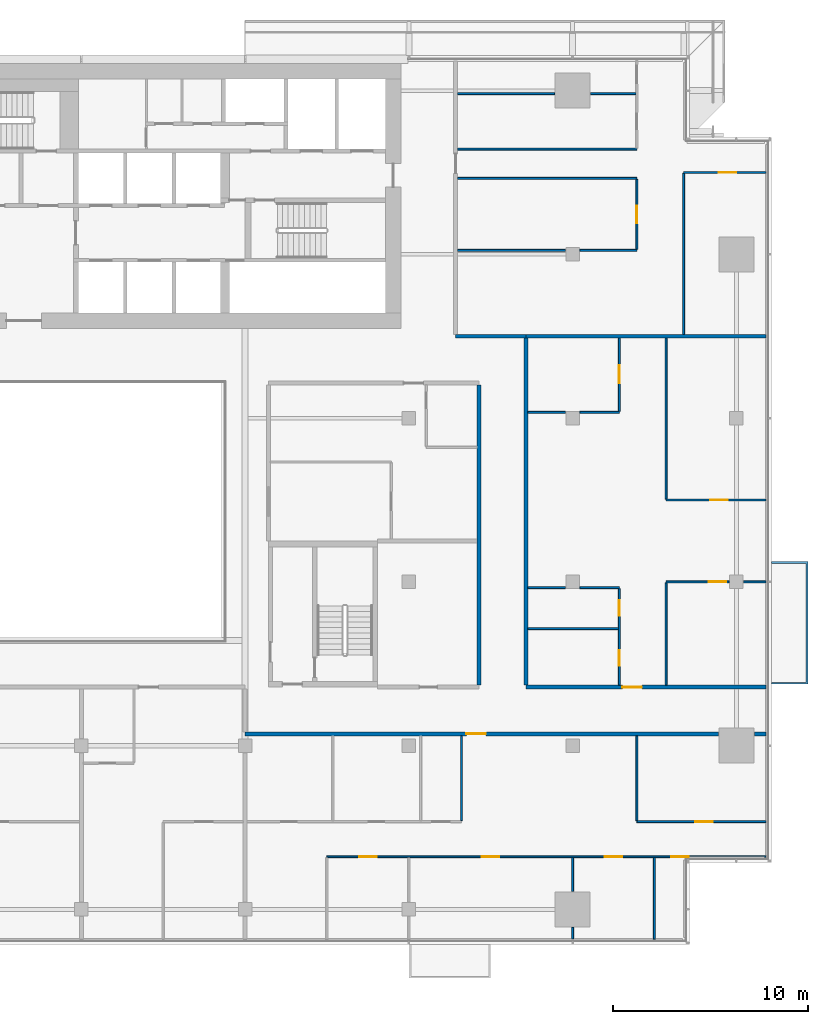
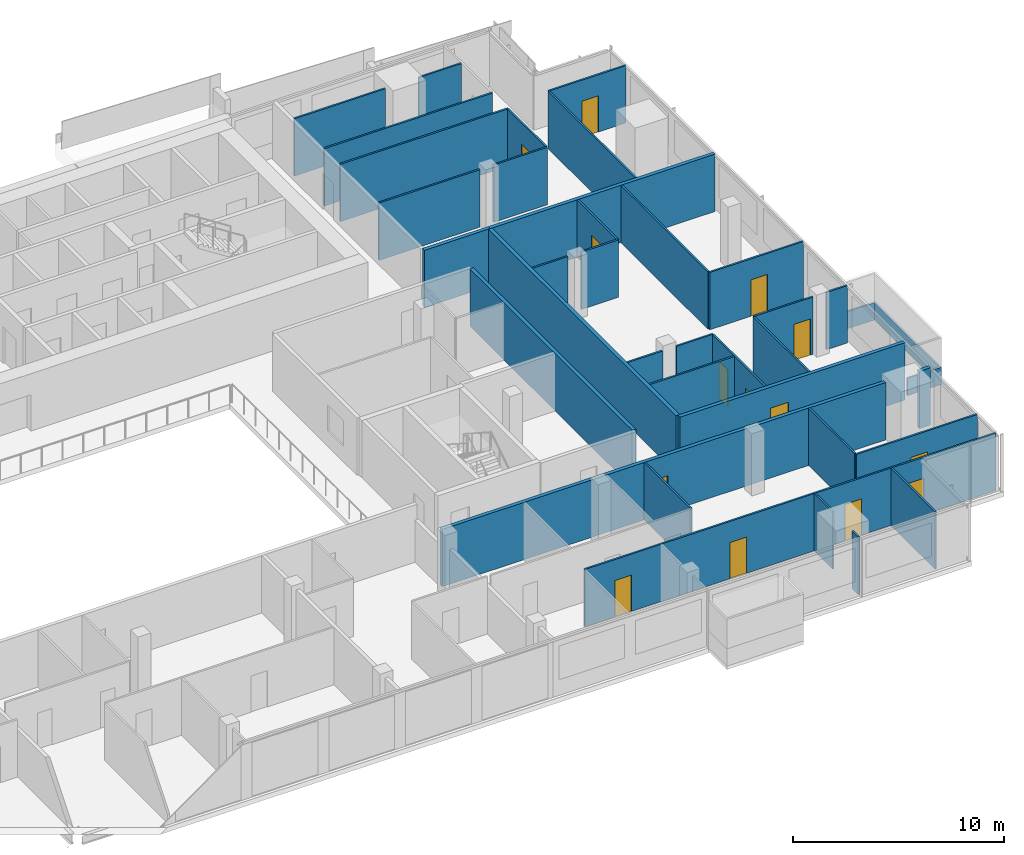
# One storey, part 23 of 30: 36 walls, 14 doors, 14 openings.
"""IFC4 building model written with IfcOpenShell, lengths in metres."""

from ifc_helpers import new_model, si_unit, direction, frame, frame_2d, origin, place, context, subcontext, project, spatial, polyline, rectangle, outline, extrude, material, layer, layer_set, type_object, element, fill, save


model = new_model("IFC4")

# Units and contexts
model_context = context("Model", 3, precision=1e-05, world=origin(), true_north=direction((0.0, 1.0)))
body_context = subcontext(model_context, "Body", "Model", "MODEL_VIEW")
ifc_project = project(units=[si_unit("LENGTHUNIT", "METRE"), si_unit("AREAUNIT", "SQUARE_METRE"), si_unit("VOLUMEUNIT", "CUBIC_METRE"), si_unit("PLANEANGLEUNIT", "RADIAN"), si_unit("MASSUNIT", "GRAM", prefix="KILO")], contexts=[model_context])

# Site, building, storey
site_placement = place(None, origin())
site = spatial("IfcSite", under=ifc_project, at=site_placement, CompositionType="ELEMENT")
building_placement = place(site_placement, origin())
building = spatial("IfcBuilding", under=site, at=building_placement, Name="Saffron Gate Tower", CompositionType="ELEMENT")
storey_placement = place(building_placement, frame((0.0, 0.0, 169.050048828125)))
storey = spatial("IfcBuildingStorey", under=building, at=storey_placement, Name="L41", CompositionType="ELEMENT", Elevation=169.050048828125)

# Wall, openings, doors
ifc_material_1 = material(Name="Plasterboard on steel studs", Category="steel")
ifc_layer_1 = layer(ifc_material_1, 0.10009765625)
ifc_layer_set_1 = layer_set([ifc_layer_1], Name="PW1 Partition 100")
wall_type_1 = type_object("IfcWallType", Name="PW1 Partition 100", PredefinedType="PARTITIONING", material=ifc_layer_set_1)
wall_1_placement = place(storey_placement, frame((126.919921875, 34.5, 0.0), z_axis=(0.0, 0.0, 1.0), x_axis=(-1.0, 0.0, 0.0)))
wall_1 = element("IfcWall", 1, at=wall_1_placement, inside=storey, type_object=wall_type_1, Name="Partition C3-1", PredefinedType="PARTITIONING", context=body_context, shape_type="SweptSolid", body=[
    extrude(rectangle(XDim=22.52001953125, YDim=0.10009765625, at=frame_2d((11.260009765625, 0.0))), origin(), (0.0, 0.0, 1.0), 3.320068359375),
])
opening_1_placement = place(wall_1_placement, frame((3.96630859375, 0.0, 0.0)))
opening_1 = element("IfcOpeningElement", 2, at=opening_1_placement, cuts=wall_1, Name="Opening C3-23", PredefinedType="OPENING", context=body_context, shape_type="SweptSolid", body=[
    extrude(rectangle(XDim=0.89990234375, YDim=2.10009765625, at=frame_2d((0.449951171875, 1.050048828125))), frame((0.0, 0.06005859375, 0.0), z_axis=(0.0, -1.0, 0.0), x_axis=(1.0, 0.0, 0.0)), (0.0, 0.0, 1.0), 0.1201171875),
])
opening_2_placement = place(wall_1_placement, frame((7.3701171875, 0.0, 0.0)))
opening_2 = element("IfcOpeningElement", 3, at=opening_2_placement, cuts=wall_1, Name="Opening C3-22", PredefinedType="OPENING", context=body_context, shape_type="SweptSolid", body=[
    extrude(rectangle(XDim=0.89990234375, YDim=2.10009765625, at=frame_2d((0.449951171875, 1.050048828125))), frame((0.0, 0.06005859375, 0.0), z_axis=(0.0, -1.0, 0.0), x_axis=(1.0, 0.0, 0.0)), (0.0, 0.0, 1.0), 0.1201171875),
])
opening_3_placement = place(wall_1_placement, frame((13.669921875, 0.0, 0.0)))
opening_3 = element("IfcOpeningElement", 4, at=opening_3_placement, cuts=wall_1, Name="Opening C3-21", PredefinedType="OPENING", context=body_context, shape_type="SweptSolid", body=[
    extrude(rectangle(XDim=0.89990234375, YDim=2.10009765625, at=frame_2d((0.449951171875, 1.050048828125))), frame((0.0, 0.06005859375, 0.0), z_axis=(0.0, -1.0, 0.0), x_axis=(1.0, 0.0, 0.0)), (0.0, 0.0, 1.0), 0.1201171875),
])
opening_4_placement = place(wall_1_placement, frame((19.969970703125, 0.0, 0.0)))
opening_4 = element("IfcOpeningElement", 5, at=opening_4_placement, cuts=wall_1, Name="Opening C3-20", PredefinedType="OPENING", context=body_context, shape_type="SweptSolid", body=[
    extrude(rectangle(XDim=0.89990234375, YDim=2.10009765625, at=frame_2d((0.449951171875, 1.050048828125))), frame((0.0, 0.06005859375, 0.0), z_axis=(0.0, -1.0, 0.0), x_axis=(1.0, 0.0, 0.0)), (0.0, 0.0, 1.0), 0.1201171875),
])
ifc_material_2 = material(Name="Timber door set", Category="wood")
door_type_1 = type_object("IfcDoorType", Name="RD1 Room door 900x2100", OperationType="NOTDEFINED", PredefinedType="DOOR", material=ifc_material_2)
door_1_placement = place(opening_1_placement, origin())
door_1 = element("IfcDoor", 6, at=door_1_placement, inside=storey, type_object=door_type_1, Name="Door C3-23", OperationType="SINGLE_SWING_RIGHT", OverallHeight=2.10009765625, OverallWidth=0.89990234375, PredefinedType="DOOR", context=body_context, shape_type="SweptSolid", body=[
    extrude(rectangle(XDim=0.89990234375, YDim=2.10009765625, at=frame_2d((0.449951171875, 1.050048828125))), frame((0.0, 0.02490234375, 0.0), z_axis=(0.0, -1.0, 0.0), x_axis=(1.0, 0.0, 0.0)), (0.0, 0.0, 1.0), 0.050048828125),
])
fill(opening_1, door_1)
door_2_placement = place(opening_2_placement, origin())
door_2 = element("IfcDoor", 7, at=door_2_placement, inside=storey, type_object=door_type_1, Name="Door C3-22", OperationType="SINGLE_SWING_RIGHT", OverallHeight=2.10009765625, OverallWidth=0.89990234375, PredefinedType="DOOR", context=body_context, shape_type="SweptSolid", body=[
    extrude(rectangle(XDim=0.89990234375, YDim=2.10009765625, at=frame_2d((0.449951171875, 1.050048828125))), frame((0.0, 0.02490234375, 0.0), z_axis=(0.0, -1.0, 0.0), x_axis=(1.0, 0.0, 0.0)), (0.0, 0.0, 1.0), 0.050048828125),
])
fill(opening_2, door_2)
door_3_placement = place(opening_3_placement, origin())
door_3 = element("IfcDoor", 8, at=door_3_placement, inside=storey, type_object=door_type_1, Name="Door C3-21", OperationType="SINGLE_SWING_RIGHT", OverallHeight=2.10009765625, OverallWidth=0.89990234375, PredefinedType="DOOR", context=body_context, shape_type="SweptSolid", body=[
    extrude(rectangle(XDim=0.89990234375, YDim=2.10009765625, at=frame_2d((0.449951171875, 1.050048828125))), frame((0.0, 0.02490234375, 0.0), z_axis=(0.0, -1.0, 0.0), x_axis=(1.0, 0.0, 0.0)), (0.0, 0.0, 1.0), 0.050048828125),
])
fill(opening_3, door_3)
door_4_placement = place(opening_4_placement, origin())
door_4 = element("IfcDoor", 9, at=door_4_placement, inside=storey, type_object=door_type_1, Name="Door C3-20", OperationType="SINGLE_SWING_RIGHT", OverallHeight=2.10009765625, OverallWidth=0.89990234375, PredefinedType="DOOR", context=body_context, shape_type="SweptSolid", body=[
    extrude(rectangle(XDim=0.89990234375, YDim=2.10009765625, at=frame_2d((0.449951171875, 1.050048828125))), frame((0.0, 0.02490234375, 0.0), z_axis=(0.0, -1.0, 0.0), x_axis=(1.0, 0.0, 0.0)), (0.0, 0.0, 1.0), 0.050048828125),
])
fill(opening_4, door_4)

# Wall, opening, door
wall_2_placement = place(storey_placement, frame((120.300048828125, 36.300048828125, 0.0), z_axis=(0.0, 0.0, 1.0), x_axis=(1.0, 0.0, 0.0)))
wall_2 = element("IfcWall", 10, at=wall_2_placement, inside=storey, type_object=wall_type_1, Name="Partition C3-4", PredefinedType="PARTITIONING", context=body_context, shape_type="SweptSolid", body=[
    extrude(rectangle(XDim=6.619873046875, YDim=0.10009765625, at=frame_2d((3.31005859375, 0.0))), origin(), (0.0, 0.0, 1.0), 3.320068359375),
])
opening_5_placement = place(wall_2_placement, frame((3.0, 0.0, 0.0)))
opening_5 = element("IfcOpeningElement", 11, at=opening_5_placement, cuts=wall_2, Name="Opening C3-24", PredefinedType="OPENING", context=body_context, shape_type="SweptSolid", body=[
    extrude(rectangle(XDim=0.89990234375, YDim=2.10009765625, at=frame_2d((0.449951171875, 1.050048828125))), frame((0.0, 0.06005859375, 0.0), z_axis=(0.0, -1.0, 0.0), x_axis=(1.0, 0.0, 0.0)), (0.0, 0.0, 1.0), 0.1201171875),
])
door_5_placement = place(opening_5_placement, origin())
door_5 = element("IfcDoor", 12, at=door_5_placement, inside=storey, type_object=door_type_1, Name="Door C3-24", OperationType="SINGLE_SWING_RIGHT", OverallHeight=2.10009765625, OverallWidth=0.89990234375, PredefinedType="DOOR", context=body_context, shape_type="SweptSolid", body=[
    extrude(rectangle(XDim=0.89990234375, YDim=2.10009765625, at=frame_2d((0.449951171875, 1.050048828125))), frame((0.0, 0.02490234375, 0.0), z_axis=(0.0, -1.0, 0.0), x_axis=(1.0, 0.0, 0.0)), (0.0, 0.0, 1.0), 0.050048828125),
])
fill(opening_5, door_5)

# Walls
wall_3_placement = place(storey_placement, frame((114.699951171875, 46.199951171875, 0.0), z_axis=(0.0, 0.0, 1.0), x_axis=(1.0, 0.0, 0.0)))
element("IfcWall", 13, at=wall_3_placement, inside=storey, type_object=wall_type_1, Name="Partition C3-18", PredefinedType="PARTITIONING", context=body_context, shape_type="SweptSolid", body=[
    extrude(rectangle(XDim=4.650146484375, YDim=0.10009765625, at=frame_2d((2.3251953125, 0.0))), origin(), (0.0, 0.0, 1.0), 3.320068359375),
])
wall_4_placement = place(storey_placement, frame((114.699951171875, 48.300048828125, 0.0), z_axis=(0.0, 0.0, 1.0), x_axis=(1.0, 0.0, 0.0)))
element("IfcWall", 14, at=wall_4_placement, inside=storey, type_object=wall_type_1, Name="Partition C3-19", PredefinedType="PARTITIONING", context=body_context, shape_type="SweptSolid", body=[
    extrude(rectangle(XDim=1.929931640625, YDim=0.10009765625, at=frame_2d((0.96484375, 0.0))), origin(), (0.0, 0.0, 1.0), 3.320068359375),
])
wall_5_placement = place(storey_placement, frame((117.3701171875, 48.300048828125, 0.0), z_axis=(0.0, 0.0, 1.0), x_axis=(1.0, 0.0, 0.0)))
element("IfcWall", 15, at=wall_5_placement, inside=storey, type_object=wall_type_1, Name="Partition C3-20", PredefinedType="PARTITIONING", context=body_context, shape_type="SweptSolid", body=[
    extrude(rectangle(XDim=2.02978515625, YDim=0.10009765625, at=frame_2d((1.014892578125, 0.0))), origin(), (0.0, 0.0, 1.0), 3.320068359375),
])

# Wall, opening, door
wall_6_placement = place(storey_placement, frame((125.030029296875, 48.60009765625, 0.0), z_axis=(0.0, 0.0, 1.0), x_axis=(-1.0, 0.0, 0.0)))
wall_6 = element("IfcWall", 16, at=wall_6_placement, inside=storey, type_object=wall_type_1, Name="Partition C3-23", PredefinedType="PARTITIONING", context=body_context, shape_type="SweptSolid", body=[
    extrude(rectangle(XDim=3.22998046875, YDim=0.10009765625, at=frame_2d((1.614990234375, 0.0))), origin(), (0.0, 0.0, 1.0), 3.320068359375),
])
opening_6_placement = place(wall_6_placement, frame((0.14990234375, 0.0, 0.0)))
opening_6 = element("IfcOpeningElement", 17, at=opening_6_placement, cuts=wall_6, Name="Opening C3-32", PredefinedType="OPENING", context=body_context, shape_type="SweptSolid", body=[
    extrude(rectangle(XDim=0.89990234375, YDim=2.10009765625, at=frame_2d((0.449951171875, 1.050048828125))), frame((0.0, 0.06005859375, 0.0), z_axis=(0.0, -1.0, 0.0), x_axis=(1.0, 0.0, 0.0)), (0.0, 0.0, 1.0), 0.1201171875),
])
door_6_placement = place(opening_6_placement, origin())
door_6 = element("IfcDoor", 18, at=door_6_placement, inside=storey, type_object=door_type_1, Name="Door C3-32", OperationType="SINGLE_SWING_LEFT", OverallHeight=2.10009765625, OverallWidth=0.89990234375, PredefinedType="DOOR", context=body_context, shape_type="SweptSolid", body=[
    extrude(rectangle(XDim=0.89990234375, YDim=2.10009765625, at=frame_2d((0.449951171875, 1.050048828125))), frame((0.0, 0.02490234375, 0.0), z_axis=(0.0, -1.0, 0.0), x_axis=(1.0, 0.0, 0.0)), (0.0, 0.0, 1.0), 0.050048828125),
])
fill(opening_6, door_6)

# Wall
wall_7_placement = place(storey_placement, frame((125.77001953125, 48.60009765625, 0.0), z_axis=(0.0, 0.0, 1.0), x_axis=(1.0, 0.0, 0.0)))
element("IfcWall", 19, at=wall_7_placement, inside=storey, type_object=wall_type_1, Name="Partition C3-24", PredefinedType="PARTITIONING", context=body_context, shape_type="SweptSolid", body=[
    extrude(rectangle(XDim=1.14990234375, YDim=0.10009765625, at=frame_2d((0.574951171875, 0.0))), origin(), (0.0, 0.0, 1.0), 3.320068359375),
])

# Wall, opening, door
wall_8_placement = place(storey_placement, frame((121.800048828125, 52.800048828125, 0.0), z_axis=(0.0, 0.0, 1.0), x_axis=(1.0, 0.0, 0.0)))
wall_8 = element("IfcWall", 20, at=wall_8_placement, inside=storey, type_object=wall_type_1, Name="Partition C3-29", PredefinedType="PARTITIONING", context=body_context, shape_type="SweptSolid", body=[
    extrude(rectangle(XDim=5.119873046875, YDim=0.10009765625, at=frame_2d((2.56005859375, 0.0))), origin(), (0.0, 0.0, 1.0), 3.320068359375),
])
opening_7_placement = place(wall_8_placement, frame((2.25, 0.0, 0.0)))
opening_7 = element("IfcOpeningElement", 21, at=opening_7_placement, cuts=wall_8, Name="Opening C3-33", PredefinedType="OPENING", context=body_context, shape_type="SweptSolid", body=[
    extrude(rectangle(XDim=0.89990234375, YDim=2.10009765625, at=frame_2d((0.449951171875, 1.050048828125))), frame((0.0, 0.06005859375, 0.0), z_axis=(0.0, -1.0, 0.0), x_axis=(1.0, 0.0, 0.0)), (0.0, 0.0, 1.0), 0.1201171875),
])
door_7_placement = place(opening_7_placement, origin())
door_7 = element("IfcDoor", 22, at=door_7_placement, inside=storey, type_object=door_type_1, Name="Door C3-33", OperationType="SINGLE_SWING_RIGHT", OverallHeight=2.10009765625, OverallWidth=0.89990234375, PredefinedType="DOOR", context=body_context, shape_type="SweptSolid", body=[
    extrude(rectangle(XDim=0.89990234375, YDim=2.10009765625, at=frame_2d((0.449951171875, 1.050048828125))), frame((0.0, 0.02490234375, 0.0), z_axis=(0.0, -1.0, 0.0), x_axis=(1.0, 0.0, 0.0)), (0.0, 0.0, 1.0), 0.050048828125),
])
fill(opening_7, door_7)

# Walls
wall_9_placement = place(storey_placement, frame((114.699951171875, 57.300048828125, 0.0), z_axis=(0.0, 0.0, 1.0), x_axis=(1.0, 0.0, 0.0)))
element("IfcWall", 23, at=wall_9_placement, inside=storey, type_object=wall_type_1, Name="Partition C3-36", PredefinedType="PARTITIONING", context=body_context, shape_type="SweptSolid", body=[
    extrude(rectangle(XDim=1.929931640625, YDim=0.10009765625, at=frame_2d((0.96484375, 0.0))), origin(), (0.0, 0.0, 1.0), 3.320068359375),
])
wall_10_placement = place(storey_placement, frame((117.3701171875, 57.300048828125, 0.0), z_axis=(0.0, 0.0, 1.0), x_axis=(1.0, 0.0, 0.0)))
element("IfcWall", 24, at=wall_10_placement, inside=storey, type_object=wall_type_1, Name="Partition C3-37", PredefinedType="PARTITIONING", context=body_context, shape_type="SweptSolid", body=[
    extrude(rectangle(XDim=2.02978515625, YDim=0.10009765625, at=frame_2d((1.014892578125, 0.0))), origin(), (0.0, 0.0, 1.0), 3.320068359375),
])
wall_11_placement = place(storey_placement, frame((111.10009765625, 65.608642578125, 0.0), z_axis=(0.0, 0.0, 1.0), x_axis=(1.0, 0.0, 0.0)))
element("IfcWall", 25, at=wall_11_placement, inside=storey, type_object=wall_type_1, Name="Partition C3-46", PredefinedType="PARTITIONING", context=body_context, shape_type="SweptSolid", body=[
    extrude(rectangle(XDim=5.52978515625, YDim=0.10009765625, at=frame_2d((2.764892578125, 0.0))), origin(), (0.0, 0.0, 1.0), 3.320068359375),
])
wall_12_placement = place(storey_placement, frame((117.3701171875, 65.608642578125, 0.0), z_axis=(0.0, 0.0, 1.0), x_axis=(1.0, 0.0, 0.0)))
element("IfcWall", 26, at=wall_12_placement, inside=storey, type_object=wall_type_1, Name="Partition C3-47", PredefinedType="PARTITIONING", context=body_context, shape_type="SweptSolid", body=[
    extrude(rectangle(XDim=2.929931640625, YDim=0.10009765625, at=frame_2d((1.46484375, 0.0))), origin(), (0.0, 0.0, 1.0), 3.320068359375),
])
wall_13_placement = place(storey_placement, frame((111.10009765625, 69.300048828125, 0.0), z_axis=(0.0, 0.0, 1.0), x_axis=(1.0, 0.0, 0.0)))
element("IfcWall", 27, at=wall_13_placement, inside=storey, type_object=wall_type_1, Name="Partition C3-50", PredefinedType="PARTITIONING", context=body_context, shape_type="SweptSolid", body=[
    extrude(rectangle(XDim=9.199951171875, YDim=0.10009765625, at=frame_2d((4.60009765625, 0.0))), origin(), (0.0, 0.0, 1.0), 3.320068359375),
])

# Wall, opening, door
wall_14_placement = place(storey_placement, frame((126.919921875, 69.60009765625, 0.0), z_axis=(0.0, 0.0, 1.0), x_axis=(-1.0, 0.0, 0.0)))
wall_14 = element("IfcWall", 28, at=wall_14_placement, inside=storey, type_object=wall_type_1, Name="Partition C3-52", PredefinedType="PARTITIONING", context=body_context, shape_type="SweptSolid", body=[
    extrude(rectangle(XDim=4.219970703125, YDim=0.10009765625, at=frame_2d((2.10986328125, 0.0))), origin(), (0.0, 0.0, 1.0), 3.320068359375),
])
opening_8_placement = place(wall_14_placement, frame((1.52001953125, 0.0, 0.0)))
opening_8 = element("IfcOpeningElement", 29, at=opening_8_placement, cuts=wall_14, Name="Opening C3-35", PredefinedType="OPENING", context=body_context, shape_type="SweptSolid", body=[
    extrude(rectangle(XDim=0.89990234375, YDim=2.10009765625, at=frame_2d((0.449951171875, 1.050048828125))), frame((0.0, 0.06005859375, 0.0), z_axis=(0.0, -1.0, 0.0), x_axis=(1.0, 0.0, 0.0)), (0.0, 0.0, 1.0), 0.1201171875),
])
door_8_placement = place(opening_8_placement, origin())
door_8 = element("IfcDoor", 30, at=door_8_placement, inside=storey, type_object=door_type_1, Name="Door C3-35", OperationType="SINGLE_SWING_LEFT", OverallHeight=2.10009765625, OverallWidth=0.89990234375, PredefinedType="DOOR", context=body_context, shape_type="SweptSolid", body=[
    extrude(rectangle(XDim=0.89990234375, YDim=2.10009765625, at=frame_2d((0.449951171875, 1.050048828125))), frame((0.0, 0.02490234375, 0.0), z_axis=(0.0, -1.0, 0.0), x_axis=(1.0, 0.0, 0.0)), (0.0, 0.0, 1.0), 0.050048828125),
])
fill(opening_8, door_8)

# Walls
wall_15_placement = place(storey_placement, frame((111.10009765625, 70.800048828125, 0.0), z_axis=(0.0, 0.0, 1.0), x_axis=(1.0, 0.0, 0.0)))
element("IfcWall", 31, at=wall_15_placement, inside=storey, type_object=wall_type_1, Name="Partition C3-53", PredefinedType="PARTITIONING", context=body_context, shape_type="SweptSolid", body=[
    extrude(rectangle(XDim=9.199951171875, YDim=0.10009765625, at=frame_2d((4.60009765625, 0.0))), origin(), (0.0, 0.0, 1.0), 3.320068359375),
])
wall_16_placement = place(storey_placement, frame((111.10009765625, 73.6494140625, 0.0), z_axis=(0.0, 0.0, 1.0), x_axis=(1.0, 0.0, 0.0)))
element("IfcWall", 32, at=wall_16_placement, inside=storey, type_object=wall_type_1, Name="Partition C3-55", PredefinedType="PARTITIONING", context=body_context, shape_type="SweptSolid", body=[
    extrude(rectangle(XDim=4.97998046875, YDim=0.10009765625, at=frame_2d((2.489990234375, 0.0))), origin(), (0.0, 0.0, 1.0), 3.320068359375),
])
wall_17_placement = place(storey_placement, frame((117.919921875, 73.6494140625, 0.0), z_axis=(0.0, 0.0, 1.0), x_axis=(1.0, 0.0, 0.0)))
element("IfcWall", 33, at=wall_17_placement, inside=storey, type_object=wall_type_1, Name="Partition C3-56", PredefinedType="PARTITIONING", context=body_context, shape_type="SweptSolid", body=[
    extrude(rectangle(XDim=2.330078125, YDim=0.10009765625, at=frame_2d((1.1650390625, 0.0))), origin(), (0.0, 0.0, 1.0), 3.320068359375),
])
wall_18_placement = place(storey_placement, frame((111.300048828125, 40.699951171875, 0.0), z_axis=(0.0, 0.0, 1.0), x_axis=(0.0, -1.0, 0.0)))
element("IfcWall", 34, at=wall_18_placement, inside=storey, type_object=wall_type_1, Name="Partition C3-105", PredefinedType="PARTITIONING", context=body_context, shape_type="SweptSolid", body=[
    extrude(rectangle(XDim=4.349853515625, YDim=0.10009765625, at=frame_2d((2.1748046875, 0.0))), origin(), (0.0, 0.0, 1.0), 3.320068359375),
])
wall_19_placement = place(storey_placement, frame((117.0, 30.8798828125, 0.0), z_axis=(0.0, 0.0, 1.0), x_axis=(0.0, -1.0, 0.0)))
element("IfcWall", 35, at=wall_19_placement, inside=storey, type_object=wall_type_1, Name="Partition C3-108", PredefinedType="PARTITIONING", context=body_context, shape_type="SweptSolid", body=[
    extrude(rectangle(XDim=0.599853515625, YDim=0.10009765625, at=frame_2d((0.2998046875, 0.0))), origin(), (0.0, 0.0, 1.0), 3.320068359375),
])
wall_20_placement = place(storey_placement, frame((117.0, 34.449951171875, 0.0), z_axis=(0.0, 0.0, 1.0), x_axis=(0.0, -1.0, 0.0)))
element("IfcWall", 36, at=wall_20_placement, inside=storey, type_object=wall_type_1, Name="Partition C3-109", PredefinedType="PARTITIONING", context=body_context, shape_type="SweptSolid", body=[
    extrude(rectangle(XDim=1.72998046875, YDim=0.10009765625, at=frame_2d((0.864990234375, 0.0))), origin(), (0.0, 0.0, 1.0), 3.320068359375),
])

# Wall, openings, doors
wall_21_placement = place(storey_placement, frame((119.39990234375, 43.300048828125, 0.0), z_axis=(0.0, 0.0, 1.0), x_axis=(0.0, 1.0, 0.0)))
wall_21 = element("IfcWall", 37, at=wall_21_placement, inside=storey, type_object=wall_type_1, Name="Partition C3-110", PredefinedType="PARTITIONING", context=body_context, shape_type="SweptSolid", body=[
    extrude(rectangle(XDim=4.949951171875, YDim=0.10009765625, at=frame_2d((2.47509765625, 0.0))), origin(), (0.0, 0.0, 1.0), 3.320068359375),
])
opening_9_placement = place(wall_21_placement, frame((1.0, 0.0, 0.0)))
opening_9 = element("IfcOpeningElement", 38, at=opening_9_placement, cuts=wall_21, Name="Opening C3-50", PredefinedType="OPENING", context=body_context, shape_type="SweptSolid", body=[
    extrude(rectangle(XDim=0.800048828125, YDim=2.10009765625, at=frame_2d((0.39990234375, 1.050048828125))), frame((0.0, 0.06005859375, 0.0), z_axis=(0.0, -1.0, 0.0), x_axis=(1.0, 0.0, 0.0)), (0.0, 0.0, 1.0), 0.1201171875),
])
opening_10_placement = place(wall_21_placement, frame((3.550048828125, 0.0, 0.0)))
opening_10 = element("IfcOpeningElement", 39, at=opening_10_placement, cuts=wall_21, Name="Opening C3-51", PredefinedType="OPENING", context=body_context, shape_type="SweptSolid", body=[
    extrude(rectangle(XDim=0.800048828125, YDim=2.10009765625, at=frame_2d((0.39990234375, 1.050048828125))), frame((0.0, 0.06005859375, 0.0), z_axis=(0.0, -1.0, 0.0), x_axis=(1.0, 0.0, 0.0)), (0.0, 0.0, 1.0), 0.1201171875),
])
door_type_2 = type_object("IfcDoorType", Name="RD2 Bathroom door 800x2100", OperationType="NOTDEFINED", PredefinedType="DOOR", material=ifc_material_2)
door_9_placement = place(opening_9_placement, origin())
door_9 = element("IfcDoor", 40, at=door_9_placement, inside=storey, type_object=door_type_2, Name="Door C3-50", OperationType="SINGLE_SWING_LEFT", OverallHeight=2.10009765625, OverallWidth=0.800048828125, PredefinedType="DOOR", context=body_context, shape_type="SweptSolid", body=[
    extrude(rectangle(XDim=0.800048828125, YDim=2.10009765625, at=frame_2d((0.39990234375, 1.050048828125))), frame((0.0, 0.02490234375, 0.0), z_axis=(0.0, -1.0, 0.0), x_axis=(1.0, 0.0, 0.0)), (0.0, 0.0, 1.0), 0.050048828125),
])
fill(opening_9, door_9)
door_10_placement = place(opening_10_placement, origin())
door_10 = element("IfcDoor", 41, at=door_10_placement, inside=storey, type_object=door_type_2, Name="Door C3-51", OperationType="SINGLE_SWING_RIGHT", OverallHeight=2.10009765625, OverallWidth=0.800048828125, PredefinedType="DOOR", context=body_context, shape_type="SweptSolid", body=[
    extrude(rectangle(XDim=0.800048828125, YDim=2.10009765625, at=frame_2d((0.39990234375, 1.050048828125))), frame((0.0, 0.02490234375, 0.0), z_axis=(0.0, -1.0, 0.0), x_axis=(1.0, 0.0, 0.0)), (0.0, 0.0, 1.0), 0.050048828125),
])
fill(opening_10, door_10)

# Wall, opening, door
wall_22_placement = place(storey_placement, frame((119.39990234375, 57.35009765625, 0.0), z_axis=(0.0, 0.0, 1.0), x_axis=(0.0, 1.0, 0.0)))
wall_22 = element("IfcWall", 42, at=wall_22_placement, inside=storey, type_object=wall_type_1, Name="Partition C3-111", PredefinedType="PARTITIONING", context=body_context, shape_type="SweptSolid", body=[
    extrude(rectangle(XDim=3.75, YDim=0.10009765625, at=frame_2d((1.875, 0.0))), origin(), (0.0, 0.0, 1.0), 3.320068359375),
])
opening_11_placement = place(wall_22_placement, frame((1.449951171875, 0.0, 0.0)))
opening_11 = element("IfcOpeningElement", 43, at=opening_11_placement, cuts=wall_22, Name="Opening C3-34", PredefinedType="OPENING", context=body_context, shape_type="SweptSolid", body=[
    extrude(rectangle(XDim=0.89990234375, YDim=2.10009765625, at=frame_2d((0.449951171875, 1.050048828125))), frame((0.0, 0.06005859375, 0.0), z_axis=(0.0, -1.0, 0.0), x_axis=(1.0, 0.0, 0.0)), (0.0, 0.0, 1.0), 0.1201171875),
])
door_11_placement = place(opening_11_placement, origin())
door_11 = element("IfcDoor", 44, at=door_11_placement, inside=storey, type_object=door_type_1, Name="Door C3-34", OperationType="SINGLE_SWING_RIGHT", OverallHeight=2.10009765625, OverallWidth=0.89990234375, PredefinedType="DOOR", context=body_context, shape_type="SweptSolid", body=[
    extrude(rectangle(XDim=0.89990234375, YDim=2.10009765625, at=frame_2d((0.449951171875, 1.050048828125))), frame((0.0, 0.02490234375, 0.0), z_axis=(0.0, -1.0, 0.0), x_axis=(1.0, 0.0, 0.0)), (0.0, 0.0, 1.0), 0.050048828125),
])
fill(opening_11, door_11)

# Wall
wall_23_placement = place(storey_placement, frame((120.300048828125, 40.699951171875, 0.0), z_axis=(0.0, 0.0, 1.0), x_axis=(0.0, -1.0, 0.0)))
element("IfcWall", 45, at=wall_23_placement, inside=storey, type_object=wall_type_1, Name="Partition C3-112", PredefinedType="PARTITIONING", context=body_context, shape_type="SweptSolid", body=[
    extrude(rectangle(XDim=4.349853515625, YDim=0.10009765625, at=frame_2d((2.1748046875, 0.0))), origin(), (0.0, 0.0, 1.0), 3.320068359375),
])

# Wall, opening, door
wall_24_placement = place(storey_placement, frame((120.300048828125, 65.65869140625, 0.0), z_axis=(0.0, 0.0, 1.0), x_axis=(0.0, 1.0, 0.0)))
wall_24 = element("IfcWall", 46, at=wall_24_placement, inside=storey, type_object=wall_type_1, Name="Partition C3-113", PredefinedType="PARTITIONING", context=body_context, shape_type="SweptSolid", body=[
    extrude(rectangle(XDim=3.59130859375, YDim=0.10009765625, at=frame_2d((1.795654296875, 0.0))), origin(), (0.0, 0.0, 1.0), 3.320068359375),
])
opening_12_placement = place(wall_24_placement, frame((1.345703125, 0.0, 0.0)))
opening_12 = element("IfcOpeningElement", 47, at=opening_12_placement, cuts=wall_24, Name="Opening C3-36", PredefinedType="OPENING", context=body_context, shape_type="SweptSolid", body=[
    extrude(rectangle(XDim=0.89990234375, YDim=2.10009765625, at=frame_2d((0.449951171875, 1.050048828125))), frame((0.0, 0.06005859375, 0.0), z_axis=(0.0, -1.0, 0.0), x_axis=(1.0, 0.0, 0.0)), (0.0, 0.0, 1.0), 0.1201171875),
])
door_12_placement = place(opening_12_placement, origin())
door_12 = element("IfcDoor", 48, at=door_12_placement, inside=storey, type_object=door_type_1, Name="Door C3-36", OperationType="SINGLE_SWING_RIGHT", OverallHeight=2.10009765625, OverallWidth=0.89990234375, PredefinedType="DOOR", context=body_context, shape_type="SweptSolid", body=[
    extrude(rectangle(XDim=0.89990234375, YDim=2.10009765625, at=frame_2d((0.449951171875, 1.050048828125))), frame((0.0, 0.02490234375, 0.0), z_axis=(0.0, -1.0, 0.0), x_axis=(1.0, 0.0, 0.0)), (0.0, 0.0, 1.0), 0.050048828125),
])
fill(opening_12, door_12)

# Walls
wall_25_placement = place(storey_placement, frame((121.199951171875, 34.449951171875, 0.0), z_axis=(0.0, 0.0, 1.0), x_axis=(0.0, -1.0, 0.0)))
element("IfcWall", 49, at=wall_25_placement, inside=storey, type_object=wall_type_1, Name="Partition C3-115", PredefinedType="PARTITIONING", context=body_context, shape_type="SweptSolid", body=[
    extrude(rectangle(XDim=4.169921875, YDim=0.10009765625, at=frame_2d((2.0849609375, 0.0))), origin(), (0.0, 0.0, 1.0), 3.320068359375),
])
wall_26_placement = place(storey_placement, frame((121.800048828125, 48.550048828125, 0.0), z_axis=(0.0, 0.0, 1.0), x_axis=(0.0, -1.0, 0.0)))
element("IfcWall", 50, at=wall_26_placement, inside=storey, type_object=wall_type_1, Name="Partition C3-116", PredefinedType="PARTITIONING", context=body_context, shape_type="SweptSolid", body=[
    extrude(rectangle(XDim=5.25, YDim=0.10009765625, at=frame_2d((2.625, 0.0))), origin(), (0.0, 0.0, 1.0), 3.320068359375),
])
for number, where, z_axis, x_axis, name in (
    (51, (121.800048828125, 61.10009765625, 0.0), (0.0, 0.0, 1.0), (0.0, -1.0, 0.0), "Partition C3-117"),
    (52, (122.699951171875, 69.550048828125, 0.0), (0.0, 0.0, 1.0), (0.0, -1.0, 0.0), "Partition C3-118"),
):
    element("IfcWall", number, at=place(storey_placement, frame(where, z_axis=z_axis, x_axis=x_axis)), inside=storey, type_object=wall_type_1, Name=name, PredefinedType="PARTITIONING", context=body_context, shape_type="SweptSolid", body=[
        extrude(rectangle(XDim=8.25, YDim=0.10009765625, at=frame_2d((4.125, 0.0))), origin(), (0.0, 0.0, 1.0), 3.320068359375),
    ])
ifc_material_3 = material(Name="Clay brick masonry, rendered", Category="masonry")
ifc_layer_2 = layer(ifc_material_3, 0.199951171875)
ifc_layer_set_2 = layer_set([ifc_layer_2], Name="PW2 Demising wall 200")
wall_type_2 = type_object("IfcWallType", Name="PW2 Demising wall 200", PredefinedType="PARTITIONING", material=ifc_layer_set_2)
wall_27_placement = place(storey_placement, frame((114.60009765625, 61.199951171875, 0.0), z_axis=(0.0, 0.0, 1.0), x_axis=(1.0, 0.0, 0.0)))
element("IfcWall", 53, at=wall_27_placement, inside=storey, type_object=wall_type_2, Name="Wall C3-44", PredefinedType="PARTITIONING", context=body_context, shape_type="SweptSolid", body=[
    extrude(rectangle(XDim=12.31982421875, YDim=0.199951171875, at=frame_2d((6.159912109375, 0.0))), origin(), (0.0, 0.0, 1.0), 3.320068359375),
])

# Wall, opening, door
ifc_layer_3 = layer(ifc_material_3, 0.199951171875)
ifc_layer_set_3 = layer_set([ifc_layer_3], Name="PW3 Corridor wall 200")
wall_type_3 = type_object("IfcWallType", Name="PW3 Corridor wall 200", PredefinedType="PARTITIONING", material=ifc_layer_set_3)
wall_28_placement = place(storey_placement, frame((124.47998046875, 40.800048828125, 0.0), z_axis=(0.0, 0.0, 1.0), x_axis=(-1.0, 0.0, 0.0)))
wall_28 = element("IfcWall", 54, at=wall_28_placement, inside=storey, type_object=wall_type_3, Name="Wall C3-11", PredefinedType="PARTITIONING", context=body_context, shape_type="SweptSolid", body=[
    extrude(rectangle(XDim=24.280029296875, YDim=0.199951171875, at=frame_2d((12.14013671875, 0.0))), origin(), (0.0, 0.0, 1.0), 3.320068359375),
])
opening_13_placement = place(wall_28_placement, frame((11.929931640625, 0.0, 0.0)))
opening_13 = element("IfcOpeningElement", 55, at=opening_13_placement, cuts=wall_28, Name="Opening C3-4", PredefinedType="OPENING", context=body_context, shape_type="SweptSolid", body=[
    extrude(rectangle(XDim=1.0, YDim=2.10009765625, at=frame_2d((0.5, 1.050048828125))), frame((0.0, 0.10986328125, 0.0), z_axis=(0.0, -1.0, 0.0), x_axis=(1.0, 0.0, 0.0)), (0.0, 0.0, 1.0), 0.219970703125),
])
ifc_material_4 = material(Name="Timber fire door set", Category="wood")
door_type_3 = type_object("IfcDoorType", Name="FD1 Flat entry door 1000x2100", OperationType="NOTDEFINED", PredefinedType="DOOR", material=ifc_material_4)
door_13_placement = place(opening_13_placement, origin())
door_13 = element("IfcDoor", 56, at=door_13_placement, inside=storey, type_object=door_type_3, Name="Door C3-4", OperationType="SINGLE_SWING_RIGHT", OverallHeight=2.10009765625, OverallWidth=1.0, PredefinedType="DOOR", context=body_context, shape_type="SweptSolid", body=[
    extrude(rectangle(XDim=1.0, YDim=2.10009765625, at=frame_2d((0.5, 1.050048828125))), frame((0.0, 0.02490234375, 0.0), z_axis=(0.0, -1.0, 0.0), x_axis=(1.0, 0.0, 0.0)), (0.0, 0.0, 1.0), 0.050048828125),
])
fill(opening_13, door_13)

# Wall
wall_29_placement = place(storey_placement, frame((126.320068359375, 40.800048828125, 0.0), z_axis=(0.0, 0.0, 1.0), x_axis=(1.0, 0.0, 0.0)))
element("IfcWall", 57, at=wall_29_placement, inside=storey, type_object=wall_type_3, Name="Wall C3-12", PredefinedType="PARTITIONING", context=body_context, shape_type="SweptSolid", body=[
    extrude(rectangle(XDim=0.599853515625, YDim=0.199951171875, at=frame_2d((0.2998046875, 0.0))), origin(), (0.0, 0.0, 1.0), 3.320068359375),
])

# Wall, opening, door
wall_30_placement = place(storey_placement, frame((114.60009765625, 43.199951171875, 0.0), z_axis=(0.0, 0.0, 1.0), x_axis=(1.0, 0.0, 0.0)))
wall_30 = element("IfcWall", 58, at=wall_30_placement, inside=storey, type_object=wall_type_3, Name="Wall C3-17", PredefinedType="PARTITIONING", context=body_context, shape_type="SweptSolid", body=[
    extrude(rectangle(XDim=12.31982421875, YDim=0.199951171875, at=frame_2d((6.159912109375, 0.0))), origin(), (0.0, 0.0, 1.0), 3.320068359375),
])
opening_14_placement = place(wall_30_placement, frame((4.949951171875, 0.0, 0.0)))
opening_14 = element("IfcOpeningElement", 59, at=opening_14_placement, cuts=wall_30, Name="Opening C3-7", PredefinedType="OPENING", context=body_context, shape_type="SweptSolid", body=[
    extrude(rectangle(XDim=1.0, YDim=2.10009765625, at=frame_2d((0.5, 1.050048828125))), frame((0.0, 0.10986328125, 0.0), z_axis=(0.0, -1.0, 0.0), x_axis=(1.0, 0.0, 0.0)), (0.0, 0.0, 1.0), 0.219970703125),
])
door_14_placement = place(opening_14_placement, origin())
door_14 = element("IfcDoor", 60, at=door_14_placement, inside=storey, type_object=door_type_3, Name="Door C3-7", OperationType="SINGLE_SWING_LEFT", OverallHeight=2.10009765625, OverallWidth=1.0, PredefinedType="DOOR", context=body_context, shape_type="SweptSolid", body=[
    extrude(rectangle(XDim=1.0, YDim=2.10009765625, at=frame_2d((0.5, 1.050048828125))), frame((0.0, 0.02490234375, 0.0), z_axis=(0.0, -1.0, 0.0), x_axis=(1.0, 0.0, 0.0)), (0.0, 0.0, 1.0), 0.050048828125),
])
fill(opening_14, door_14)

# Walls
wall_31_placement = place(storey_placement, frame((111.0, 61.199951171875, 0.0), z_axis=(0.0, 0.0, 1.0), x_axis=(1.0, 0.0, 0.0)))
element("IfcWall", 61, at=wall_31_placement, inside=storey, type_object=wall_type_3, Name="Wall C3-42", PredefinedType="PARTITIONING", context=body_context, shape_type="SweptSolid", body=[
    extrude(rectangle(XDim=3.60009765625, YDim=0.199951171875, at=frame_2d((1.800048828125, 0.0))), origin(), (0.0, 0.0, 1.0), 3.320068359375),
])
wall_32_placement = place(storey_placement, frame((112.199951171875, 58.699951171875, 0.0), z_axis=(0.0, 0.0, 1.0), x_axis=(0.0, -1.0, 0.0)))
element("IfcWall", 62, at=wall_32_placement, inside=storey, type_object=wall_type_3, Name="Wall C3-106", PredefinedType="PARTITIONING", context=body_context, shape_type="SweptSolid", body=[
    extrude(rectangle(XDim=15.39990234375, YDim=0.199951171875, at=frame_2d((7.699951171875, 0.0))), origin(), (0.0, 0.0, 1.0), 3.320068359375),
])
wall_33_placement = place(storey_placement, frame((114.60009765625, 61.10009765625, 0.0), z_axis=(0.0, 0.0, 1.0), x_axis=(0.0, -1.0, 0.0)))
element("IfcWall", 63, at=wall_33_placement, inside=storey, type_object=wall_type_3, Name="Wall C3-107", PredefinedType="PARTITIONING", context=body_context, shape_type="SweptSolid", body=[
    extrude(rectangle(XDim=17.800048828125, YDim=0.199951171875, at=frame_2d((8.89990234375, 0.0))), origin(), (0.0, 0.0, 1.0), 3.320068359375),
])
ifc_material_5 = material(Name="Rendered insulated panel, white")
ifc_layer_4 = layer(ifc_material_5, 0.10009765625)
ifc_layer_set_4 = layer_set([ifc_layer_4], Name="WB3 box parapet white")
wall_type_4 = type_object("IfcWallType", Name="WB3 box parapet white", PredefinedType="SOLIDWALL", material=ifc_layer_set_4)
wall_34_placement = place(storey_placement, origin())
element("IfcWall", 64, at=wall_34_placement, inside=storey, type_object=wall_type_4, Name="WINDOW BOX parapet", PredefinedType="SOLIDWALL", context=body_context, shape_type="SweptSolid", body=[
    extrude(outline(polyline([(127.199951171875, 43.35009765625), (127.199951171875, 43.449951171875), (128.967041015625, 43.449951171875), (128.967041015625, 49.550048828125), (127.199951171875, 49.550048828125), (127.199951171875, 49.64990234375), (129.06689453125, 49.64990234375), (129.06689453125, 43.35009765625), (127.199951171875, 43.35009765625)])), origin(), (0.0, 0.0, 1.0), 1.0),
])

save(model, "model.ifc")
